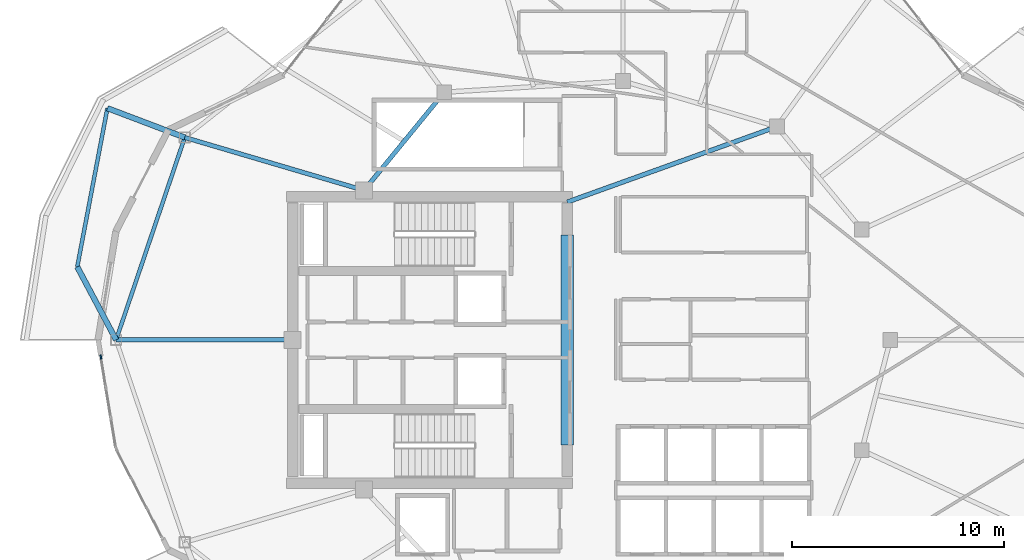
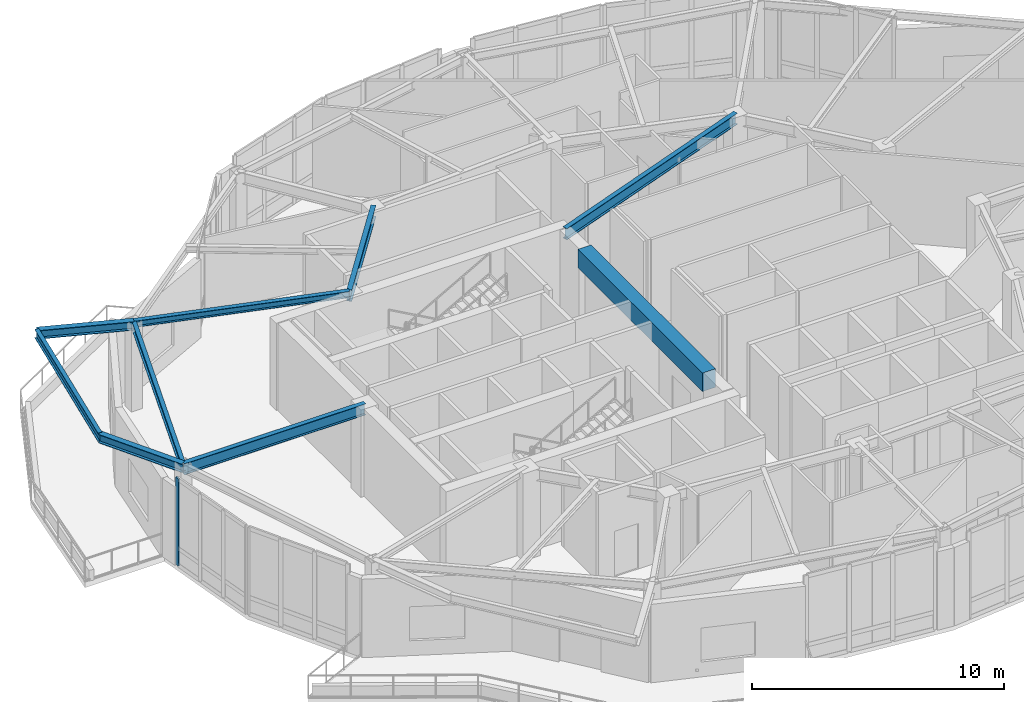
# One storey, part 3 of 15: 9 beams, 1 member, 1 element without a shape of its own.
"""IFC4 building model written with IfcOpenShell, lengths in metres."""

from ifc_helpers import new_model, si_unit, direction, frame, origin, origin_2d, place, context, subcontext, project, spatial, rectangle, i_section, extrude, material, layer, layer_set, material_profile, profile_set, type_object, element, aggregate, save


model = new_model("IFC4")

# Units and contexts
model_context = context("Model", 3, precision=1e-05, world=origin(), true_north=direction((0.0, 1.0)))
body_context = subcontext(model_context, "Body", "Model", "MODEL_VIEW")
ifc_project = project(units=[si_unit("LENGTHUNIT", "METRE"), si_unit("AREAUNIT", "SQUARE_METRE"), si_unit("VOLUMEUNIT", "CUBIC_METRE"), si_unit("PLANEANGLEUNIT", "RADIAN"), si_unit("MASSUNIT", "GRAM", prefix="KILO")], contexts=[model_context])

# Site, building, storey
site_placement = place(None, origin())
site = spatial("IfcSite", under=ifc_project, at=site_placement, CompositionType="ELEMENT")
building_placement = place(site_placement, origin())
building = spatial("IfcBuilding", under=site, at=building_placement, Name="Kolvaren Gate Tower and Convention Centre", CompositionType="ELEMENT")
storey_placement = place(building_placement, frame((0.0, 0.0, 191.89990234375)))
storey = spatial("IfcBuildingStorey", under=building, at=storey_placement, Name="L50", CompositionType="ELEMENT", Elevation=191.89990234375)

# Curtain wall, member
ifc_material_1 = material(Name="Anodized Architectural Aluminium Alloy 6063-T6", Category="aluminium")
ifc_layer = layer(ifc_material_1, 0.199951171875)
ifc_layer_set = layer_set([ifc_layer], Name="Anodized Architectural Aluminium Alloy 6063-T6")
curtain_wall_type = type_object("IfcCurtainWallType", Name="CW-SKY-GLZ", PredefinedType="NOTDEFINED", material=ifc_layer_set)
curtain_wall_placement = place(storey_placement, origin())
curtain_wall = element("IfcCurtainWall", 1, at=curtain_wall_placement, inside=storey, type_object=curtain_wall_type, Name="L50 Panoramic Structural Curtain Wall CW-12", PredefinedType="NOTDEFINED")
ifc_material_profile_1 = material_profile(ifc_material_1, rectangle(XDim=0.074951171875, YDim=0.199951171875, at=origin_2d()), Name="CW-MEM-MUL-200")
ifc_profile_set_1 = profile_set([ifc_material_profile_1], Name="Anodized Architectural Aluminium Alloy 6063-T6")
member_type = type_object("IfcMemberType", Name="CW-MEM-MUL-200", PredefinedType="MULLION", material=ifc_profile_set_1)
member_placement = place(storey_placement, frame((5.50732421875, 26.1953125, 0.0), z_axis=(0.0, 0.0, 1.0), x_axis=(0.98672790277, 0.162382406357, 0.0)))
member = element("IfcMember", 2, at=member_placement, type_object=member_type, Name="CW-05 mullion 1", PredefinedType="MULLION", context=body_context, shape_type="SweptSolid", body=[
    extrude(rectangle(XDim=0.074951171875, YDim=0.199951171875, at=origin_2d()), origin(), (0.0, 0.0, 1.0), 4.22998046875),
])
aggregate(curtain_wall, [member])

# Beams
ifc_material_2 = material(Name="Structural steel ASTM A992 Grade 345 MPa", Category="steel")
ifc_material_profile_2 = material_profile(ifc_material_2, i_section(OverallWidth=0.260009765625, OverallDepth=0.419921875, WebThickness=0.013427734375, FlangeThickness=0.0224609375, at=origin_2d()), Name="W410X132")
ifc_profile_set_2 = profile_set([ifc_material_profile_2], Name="Structural steel ASTM A992 Grade 345 MPa")
beam_type_1 = type_object("IfcBeamType", Name="STR-BM-W410X132", PredefinedType="BEAM", material=ifc_profile_set_2)
for number, where, z_axis, x_axis, name in (
    (3, (9.462646484375, 36.543701171875, 4.0205078125), (-0.935223524141, 0.354057848229, 0.0), (-0.354057848229, -0.935223524141, 0.0), "Tower L51 Planted Balcony Outrigger Cantilever BC-2A"),
    (4, (6.22509765625, 27.0, 4.0205078125), (-0.469557949111, 0.882901655014, 0.0), (-0.882901655014, -0.469557949111, 0.0), "Tower L51 Planted Balcony Outrigger Cantilever BC-2B"),
):
    element("IfcBeam", number, at=place(storey_placement, frame(where, z_axis=z_axis, x_axis=x_axis)), inside=storey, type_object=beam_type_1, Name=name, PredefinedType="BEAM", context=body_context, shape_type="SweptSolid", body=[
        extrude(i_section(OverallWidth=0.260009765625, OverallDepth=0.419921875, WebThickness=0.013427734375, FlangeThickness=0.0224609375, at=origin_2d()), origin(), (0.0, 0.0, 1.0), 3.900146484375),
    ])
ifc_material_profile_3 = material_profile(ifc_material_2, i_section(OverallWidth=0.2119140625, OverallDepth=0.5439453125, WebThickness=0.01318359375, FlangeThickness=0.021240234375, at=origin_2d()), Name="W530X123")
ifc_profile_set_3 = profile_set([ifc_material_profile_3], Name="Structural steel ASTM A992 Grade 345 MPa")
beam_type_2 = type_object("IfcBeamType", Name="STR-BM-W530X123", PredefinedType="BEAM", material=ifc_profile_set_3)
beam_1_placement = place(storey_placement, frame((21.697998046875, 38.6767578125, 3.9580078125), z_axis=(-0.633082074904, -0.774084676528, 0.0), x_axis=(0.774084676528, -0.633082074904, 0.0)))
element("IfcBeam", 5, at=beam_1_placement, inside=storey, type_object=beam_type_2, Name="Tower L50 Primary Ring Girder G-05", PredefinedType="BEAM", context=body_context, shape_type="SweptSolid", body=[
    extrude(i_section(OverallWidth=0.2119140625, OverallDepth=0.5439453125, WebThickness=0.01318359375, FlangeThickness=0.021240234375, at=origin_2d()), origin(), (0.0, 0.0, 1.0), 5.97705078125),
])
beam_2_placement = place(storey_placement, frame((27.5, 33.5, 3.9580078125), z_axis=(0.940961479908, 0.338513653093, 0.0), x_axis=(-0.338513653093, 0.940961479908, 0.0)))
element("IfcBeam", 6, at=beam_2_placement, inside=storey, type_object=beam_type_2, Name="Tower L50 Primary Ring Girder G-10", PredefinedType="BEAM", context=body_context, shape_type="SweptSolid", body=[
    extrude(i_section(OverallWidth=0.2119140625, OverallDepth=0.5439453125, WebThickness=0.01318359375, FlangeThickness=0.021240234375, at=origin_2d()), origin(), (0.0, 0.0, 1.0), 10.501708984375),
])
beam_3_placement = place(storey_placement, frame((14.550048828125, 27.0, 3.9580078125), z_axis=(-1.0, 0.0, 0.0), x_axis=(0.0, -1.0, 0.0)))
element("IfcBeam", 7, at=beam_3_placement, inside=storey, type_object=beam_type_2, Name="Tower L50 Radial Floor Girder RB-07", PredefinedType="BEAM", context=body_context, shape_type="SweptSolid", body=[
    extrude(i_section(OverallWidth=0.2119140625, OverallDepth=0.5439453125, WebThickness=0.01318359375, FlangeThickness=0.021240234375, at=origin_2d()), origin(), (0.0, 0.0, 1.0), 8.324951171875),
])
ifc_material_profile_4 = material_profile(ifc_material_2, i_section(OverallWidth=0.205078125, OverallDepth=0.31005859375, WebThickness=0.009521484375, FlangeThickness=0.016357421875, at=origin_2d()), Name="W310X74")
ifc_profile_set_4 = profile_set([ifc_material_profile_4], Name="Structural steel ASTM A992 Grade 345 MPa")
beam_type_3 = type_object("IfcBeamType", Name="STR-JS-W310X74", PredefinedType="JOIST", material=ifc_profile_set_4)
beam_4_placement = place(storey_placement, frame((17.9140625, 34.050048828125, 4.0751953125), z_axis=(-0.959121165581, 0.28299574155, 0.0), x_axis=(-0.28299574155, -0.959121165581, 0.0)))
element("IfcBeam", 8, at=beam_4_placement, inside=storey, type_object=beam_type_3, Name="Tower L50 Radial Floor Girder RB-06", PredefinedType="JOIST", context=body_context, shape_type="SweptSolid", body=[
    extrude(i_section(OverallWidth=0.205078125, OverallDepth=0.31005859375, WebThickness=0.009521484375, FlangeThickness=0.016357421875, at=origin_2d()), origin(), (0.0, 0.0, 1.0), 8.8115234375),
])
ifc_material_3 = material(Name="Concrete C60/75", Category="concrete")
ifc_material_profile_5 = material_profile(ifc_material_3, rectangle(XDim=0.60009765625, YDim=0.89990234375, at=origin_2d()), Name="RC-BM-600X900")
ifc_profile_set_5 = profile_set([ifc_material_profile_5], Name="Concrete C60/75")
beam_type_4 = type_object("IfcBeamType", Name="STR-LN-RC600X900", PredefinedType="LINTEL", material=ifc_profile_set_5)
beam_5_placement = place(storey_placement, frame((27.5, 22.050048828125, 3.780029296875), z_axis=(0.0, 1.0, 0.0), x_axis=(-1.0, 0.0, 0.0)))
element("IfcBeam", 9, at=beam_5_placement, inside=storey, type_object=beam_type_4, Name="Tower L50 Core Ductile Coupling Beam CB-01", PredefinedType="LINTEL", context=body_context, shape_type="SweptSolid", body=[
    extrude(rectangle(XDim=0.60009765625, YDim=0.89990234375, at=origin_2d()), origin(), (0.0, 0.0, 1.0), 9.89990234375),
])
ifc_material_profile_6 = material_profile(ifc_material_2, i_section(OverallWidth=0.180908203125, OverallDepth=0.4169921875, WebThickness=0.010986328125, FlangeThickness=0.018310546875, at=origin_2d()), Name="W410X85")
ifc_profile_set_6 = profile_set([ifc_material_profile_6], Name="Structural steel ASTM A992 Grade 345 MPa")
beam_type_5 = type_object("IfcBeamType", Name="STR-SP-W410X85", PredefinedType="SPANDREL", material=ifc_profile_set_6)
beam_6_placement = place(storey_placement, frame((9.462646484375, 36.543701171875, 4.021484375), z_axis=(-0.321252507379, -0.946993572577, 0.0), x_axis=(0.946993572577, -0.321252507379, 0.0)))
element("IfcBeam", 10, at=beam_6_placement, inside=storey, type_object=beam_type_5, Name="Tower L50 Perimeter Spandrel Beam SP-06", PredefinedType="SPANDREL", context=body_context, shape_type="SweptSolid", body=[
    extrude(i_section(OverallWidth=0.180908203125, OverallDepth=0.4169921875, WebThickness=0.010986328125, FlangeThickness=0.018310546875, at=origin_2d()), origin(), (0.0, 0.0, 1.0), 10.077880859375),
])
beam_7_placement = place(storey_placement, frame((5.815185546875, 37.924560546875, 4.022216796875), z_axis=(-0.186655385459, -0.982425451156, 0.0), x_axis=(0.982425451156, -0.186655385459, 0.0)))
element("IfcBeam", 11, at=beam_7_placement, inside=storey, type_object=beam_type_5, Name="Tower L51 Planted Balcony Header Tie Beam BT-2", PredefinedType="SPANDREL", context=body_context, shape_type="SweptSolid", body=[
    extrude(i_section(OverallWidth=0.180908203125, OverallDepth=0.4169921875, WebThickness=0.010986328125, FlangeThickness=0.018310546875, at=origin_2d()), origin(), (0.0, 0.0, 1.0), 7.614990234375),
])

save(model, "model.ifc")
